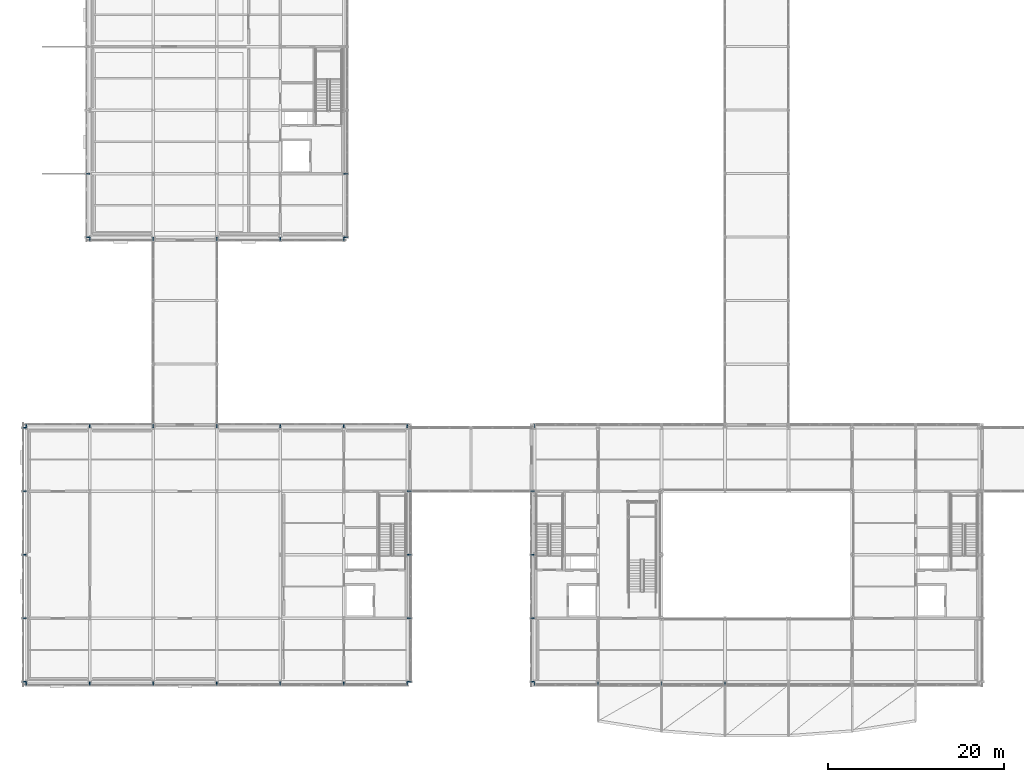
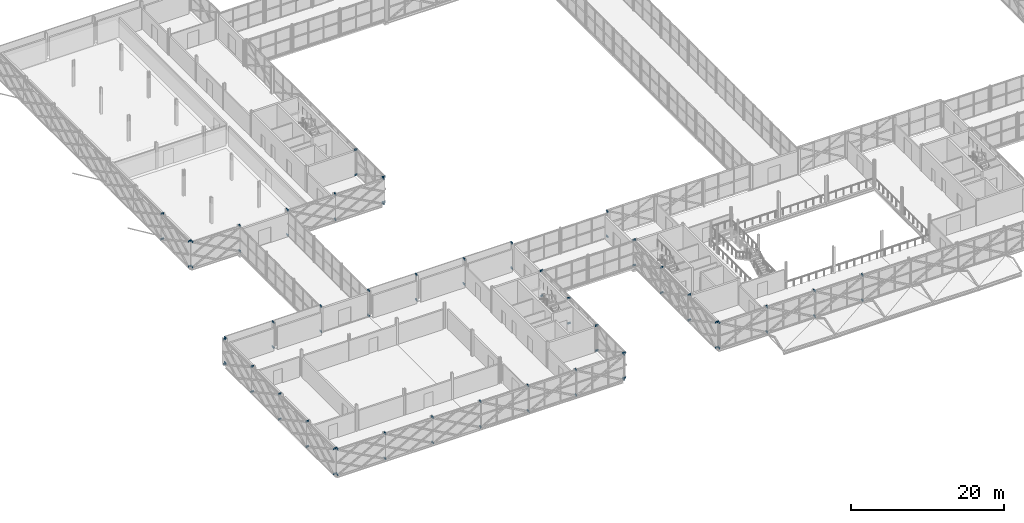
# One storey, part 81 of 146: 82 beams.
"""IFC4 building model written with IfcOpenShell, lengths in metres."""

from ifc_helpers import new_model, si_unit, direction, frame, origin, origin_2d, place, context, subcontext, project, spatial, i_section, extrude, material, material_profile, profile_set, type_object, element, save


model = new_model("IFC4")

# Units and contexts
model_context = context("Model", 3, precision=1e-05, world=origin(), true_north=direction((0.0, 1.0)))
body_context = subcontext(model_context, "Body", "Model", "MODEL_VIEW")
ifc_project = project(units=[si_unit("LENGTHUNIT", "METRE"), si_unit("AREAUNIT", "SQUARE_METRE"), si_unit("VOLUMEUNIT", "CUBIC_METRE"), si_unit("PLANEANGLEUNIT", "RADIAN"), si_unit("MASSUNIT", "GRAM", prefix="KILO")], contexts=[model_context])

# Site, building, storey
site_placement = place(None, origin())
site = spatial("IfcSite", under=ifc_project, at=site_placement, CompositionType="ELEMENT")
building_placement = place(site_placement, origin())
building = spatial("IfcBuilding", under=site, at=building_placement, Name="Zlatovets Crest Museum", CompositionType="ELEMENT")
storey_placement = place(building_placement, frame((0.0, 0.0, 4.5)))
storey = spatial("IfcBuildingStorey", under=building, at=storey_placement, Name="L01", CompositionType="ELEMENT", Elevation=4.5)

# Beams
ifc_material = material(Name="Structural steel S355J2", Category="steel")
ifc_material_profile = material_profile(ifc_material, i_section(OverallWidth=0.10009765625, OverallDepth=0.199951171875, WebThickness=0.005615234375, FlangeThickness=0.008544921875, FilletRadius=0.011962890625, at=origin_2d()), Name="IPE 200")
ifc_profile_set = profile_set([ifc_material_profile], Name="Structural steel S355J2")
beam_type = type_object("IfcBeamType", Name="Beam_PR-02", PredefinedType="LINTEL", material=ifc_profile_set)
for number, where, z_axis, x_axis, name in (
    (1, (57.60009765625, 0.0, 0.10009765625), (0.0, -1.0, 0.0), (1.0, 0.0, 0.0), "Lattice Structural Outrigger Tie"),
    (2, (57.60009765625, 0.0, 4.10009765625), (0.0, -1.0, 0.0), (1.0, 0.0, 0.0), "Lattice Structural Outrigger Tie"),
    (3, (64.800048828125, 0.0, 0.10009765625), (0.0, -1.0, 0.0), (1.0, 0.0, 0.0), "Lattice Structural Outrigger Tie"),
    (4, (64.800048828125, 0.0, 4.10009765625), (0.0, -1.0, 0.0), (1.0, 0.0, 0.0), "Lattice Structural Outrigger Tie"),
    (5, (72.0, 0.0, 0.10009765625), (0.0, -1.0, 0.0), (1.0, 0.0, 0.0), "Lattice Structural Outrigger Tie"),
    (6, (72.0, 0.0, 4.10009765625), (0.0, -1.0, 0.0), (1.0, 0.0, 0.0), "Lattice Structural Outrigger Tie"),
    (7, (79.199951171875, 0.0, 0.10009765625), (0.0, -1.0, 0.0), (1.0, 0.0, 0.0), "Lattice Structural Outrigger Tie"),
    (8, (79.199951171875, 0.0, 4.10009765625), (0.0, -1.0, 0.0), (1.0, 0.0, 0.0), "Lattice Structural Outrigger Tie"),
    (9, (57.60009765625, 28.800048828125, 0.10009765625), (0.0, 1.0, 0.0), (-1.0, 0.0, 0.0), "Lattice Structural Outrigger Tie"),
    (10, (57.60009765625, 28.800048828125, 4.10009765625), (0.0, 1.0, 0.0), (-1.0, 0.0, 0.0), "Lattice Structural Outrigger Tie"),
):
    element("IfcBeam", number, at=place(storey_placement, frame(where, z_axis=z_axis, x_axis=x_axis)), inside=storey, type_object=beam_type, Name=name, PredefinedType="LINTEL", context=body_context, shape_type="SweptSolid", body=[
        extrude(i_section(OverallWidth=0.10009765625, OverallDepth=0.199951171875, WebThickness=0.005615234375, FlangeThickness=0.008544921875, FilletRadius=0.011962890625, at=origin_2d()), origin(), (0.0, 0.0, 1.0), 0.419921875),
    ])
for number, where, z_axis, x_axis, name in (
    (11, (57.60009765625, 21.60009765625, 0.10009765625), (-1.0, 0.0, 0.0), (0.0, -1.0, 0.0), "Lattice Structural Outrigger Tie"),
    (12, (57.60009765625, 21.60009765625, 4.10009765625), (-1.0, 0.0, 0.0), (0.0, -1.0, 0.0), "Lattice Structural Outrigger Tie"),
    (13, (57.60009765625, 14.39990234375, 0.10009765625), (-1.0, 0.0, 0.0), (0.0, -1.0, 0.0), "Lattice Structural Outrigger Tie"),
    (14, (57.60009765625, 14.39990234375, 4.10009765625), (-1.0, 0.0, 0.0), (0.0, -1.0, 0.0), "Lattice Structural Outrigger Tie"),
    (15, (57.60009765625, 7.199951171875, 0.10009765625), (-1.0, 0.0, 0.0), (0.0, -1.0, 0.0), "Lattice Structural Outrigger Tie"),
    (16, (57.60009765625, 7.199951171875, 4.10009765625), (-1.0, 0.0, 0.0), (0.0, -1.0, 0.0), "Lattice Structural Outrigger Tie"),
    (17, (57.60009765625, 0.0, 0.10009765625), (-1.0, 0.0, 0.0), (0.0, -1.0, 0.0), "Lattice Structural Outrigger Tie"),
    (18, (57.60009765625, 0.0, 4.10009765625), (-1.0, 0.0, 0.0), (0.0, -1.0, 0.0), "Lattice Structural Outrigger Tie"),
):
    element("IfcBeam", number, at=place(storey_placement, frame(where, z_axis=z_axis, x_axis=x_axis)), inside=storey, type_object=beam_type, Name=name, PredefinedType="LINTEL", context=body_context, shape_type="SweptSolid", body=[
        extrude(i_section(OverallWidth=0.10009765625, OverallDepth=0.199951171875, WebThickness=0.005615234375, FlangeThickness=0.008544921875, FilletRadius=0.011962890625, at=origin_2d()), origin(), (0.0, 0.0, 1.0), 0.420166015625),
    ])
for number, where, z_axis, x_axis, name in (
    (19, (0.0, 0.0, 0.10009765625), (0.0, -1.0, 0.0), (1.0, 0.0, 0.0), "Lattice Structural Outrigger Tie"),
    (20, (0.0, 0.0, 4.10009765625), (0.0, -1.0, 0.0), (1.0, 0.0, 0.0), "Lattice Structural Outrigger Tie"),
    (21, (7.199951171875, 0.0, 0.10009765625), (0.0, -1.0, 0.0), (1.0, 0.0, 0.0), "Lattice Structural Outrigger Tie"),
    (22, (7.199951171875, 0.0, 4.10009765625), (0.0, -1.0, 0.0), (1.0, 0.0, 0.0), "Lattice Structural Outrigger Tie"),
    (23, (14.39990234375, 0.0, 0.10009765625), (0.0, -1.0, 0.0), (1.0, 0.0, 0.0), "Lattice Structural Outrigger Tie"),
    (24, (14.39990234375, 0.0, 4.10009765625), (0.0, -1.0, 0.0), (1.0, 0.0, 0.0), "Lattice Structural Outrigger Tie"),
    (25, (21.60009765625, 0.0, 0.10009765625), (0.0, -1.0, 0.0), (1.0, 0.0, 0.0), "Lattice Structural Outrigger Tie"),
    (26, (21.60009765625, 0.0, 4.10009765625), (0.0, -1.0, 0.0), (1.0, 0.0, 0.0), "Lattice Structural Outrigger Tie"),
    (27, (28.800048828125, 0.0, 0.10009765625), (0.0, -1.0, 0.0), (1.0, 0.0, 0.0), "Lattice Structural Outrigger Tie"),
    (28, (28.800048828125, 0.0, 4.10009765625), (0.0, -1.0, 0.0), (1.0, 0.0, 0.0), "Lattice Structural Outrigger Tie"),
    (29, (36.0, 0.0, 0.10009765625), (0.0, -1.0, 0.0), (1.0, 0.0, 0.0), "Lattice Structural Outrigger Tie"),
    (30, (36.0, 0.0, 4.10009765625), (0.0, -1.0, 0.0), (1.0, 0.0, 0.0), "Lattice Structural Outrigger Tie"),
    (31, (43.199951171875, 0.0, 0.10009765625), (0.0, -1.0, 0.0), (1.0, 0.0, 0.0), "Lattice Structural Outrigger Tie"),
    (32, (43.199951171875, 0.0, 4.10009765625), (0.0, -1.0, 0.0), (1.0, 0.0, 0.0), "Lattice Structural Outrigger Tie"),
):
    element("IfcBeam", number, at=place(storey_placement, frame(where, z_axis=z_axis, x_axis=x_axis)), inside=storey, type_object=beam_type, Name=name, PredefinedType="LINTEL", context=body_context, shape_type="SweptSolid", body=[
        extrude(i_section(OverallWidth=0.10009765625, OverallDepth=0.199951171875, WebThickness=0.005615234375, FlangeThickness=0.008544921875, FilletRadius=0.011962890625, at=origin_2d()), origin(), (0.0, 0.0, 1.0), 0.419921875),
    ])
for number, where, z_axis, x_axis, name in (
    (33, (43.199951171875, 0.0, 0.10009765625), (1.0, 0.0, 0.0), (0.0, 1.0, 0.0), "Lattice Structural Outrigger Tie"),
    (34, (43.199951171875, 0.0, 4.10009765625), (1.0, 0.0, 0.0), (0.0, 1.0, 0.0), "Lattice Structural Outrigger Tie"),
    (35, (43.199951171875, 7.199951171875, 0.10009765625), (1.0, 0.0, 0.0), (0.0, 1.0, 0.0), "Lattice Structural Outrigger Tie"),
    (36, (43.199951171875, 7.199951171875, 4.10009765625), (1.0, 0.0, 0.0), (0.0, 1.0, 0.0), "Lattice Structural Outrigger Tie"),
    (37, (43.199951171875, 14.39990234375, 0.10009765625), (1.0, 0.0, 0.0), (0.0, 1.0, 0.0), "Lattice Structural Outrigger Tie"),
    (38, (43.199951171875, 14.39990234375, 4.10009765625), (1.0, 0.0, 0.0), (0.0, 1.0, 0.0), "Lattice Structural Outrigger Tie"),
    (39, (43.199951171875, 21.60009765625, 0.10009765625), (1.0, 0.0, 0.0), (0.0, 1.0, 0.0), "Lattice Structural Outrigger Tie"),
    (40, (43.199951171875, 21.60009765625, 4.10009765625), (1.0, 0.0, 0.0), (0.0, 1.0, 0.0), "Lattice Structural Outrigger Tie"),
):
    element("IfcBeam", number, at=place(storey_placement, frame(where, z_axis=z_axis, x_axis=x_axis)), inside=storey, type_object=beam_type, Name=name, PredefinedType="LINTEL", context=body_context, shape_type="SweptSolid", body=[
        extrude(i_section(OverallWidth=0.10009765625, OverallDepth=0.199951171875, WebThickness=0.005615234375, FlangeThickness=0.008544921875, FilletRadius=0.011962890625, at=origin_2d()), origin(), (0.0, 0.0, 1.0), 0.420166015625),
    ])
for number, where, z_axis, x_axis, name in (
    (41, (43.199951171875, 28.800048828125, 0.10009765625), (0.0, 1.0, 0.0), (-1.0, 0.0, 0.0), "Lattice Structural Outrigger Tie"),
    (42, (43.199951171875, 28.800048828125, 4.10009765625), (0.0, 1.0, 0.0), (-1.0, 0.0, 0.0), "Lattice Structural Outrigger Tie"),
    (43, (36.0, 28.800048828125, 0.10009765625), (0.0, 1.0, 0.0), (-1.0, 0.0, 0.0), "Lattice Structural Outrigger Tie"),
    (44, (36.0, 28.800048828125, 4.10009765625), (0.0, 1.0, 0.0), (-1.0, 0.0, 0.0), "Lattice Structural Outrigger Tie"),
    (45, (28.800048828125, 28.800048828125, 0.10009765625), (0.0, 1.0, 0.0), (-1.0, 0.0, 0.0), "Lattice Structural Outrigger Tie"),
    (46, (28.800048828125, 28.800048828125, 4.10009765625), (0.0, 1.0, 0.0), (-1.0, 0.0, 0.0), "Lattice Structural Outrigger Tie"),
    (47, (21.60009765625, 28.800048828125, 0.10009765625), (0.0, 1.0, 0.0), (-1.0, 0.0, 0.0), "Lattice Structural Outrigger Tie"),
    (48, (21.60009765625, 28.800048828125, 4.10009765625), (0.0, 1.0, 0.0), (-1.0, 0.0, 0.0), "Lattice Structural Outrigger Tie"),
    (49, (14.39990234375, 28.800048828125, 0.10009765625), (0.0, 1.0, 0.0), (-1.0, 0.0, 0.0), "Lattice Structural Outrigger Tie"),
    (50, (14.39990234375, 28.800048828125, 4.10009765625), (0.0, 1.0, 0.0), (-1.0, 0.0, 0.0), "Lattice Structural Outrigger Tie"),
    (51, (7.199951171875, 28.800048828125, 0.10009765625), (0.0, 1.0, 0.0), (-1.0, 0.0, 0.0), "Lattice Structural Outrigger Tie"),
    (52, (7.199951171875, 28.800048828125, 4.10009765625), (0.0, 1.0, 0.0), (-1.0, 0.0, 0.0), "Lattice Structural Outrigger Tie"),
    (53, (0.0, 28.800048828125, 0.10009765625), (0.0, 1.0, 0.0), (-1.0, 0.0, 0.0), "Lattice Structural Outrigger Tie"),
    (54, (0.0, 28.800048828125, 4.10009765625), (0.0, 1.0, 0.0), (-1.0, 0.0, 0.0), "Lattice Structural Outrigger Tie"),
    (55, (0.0, 28.800048828125, 0.10009765625), (-1.0, 0.0, 0.0), (0.0, -1.0, 0.0), "Lattice Structural Outrigger Tie"),
    (56, (0.0, 28.800048828125, 4.10009765625), (-1.0, 0.0, 0.0), (0.0, -1.0, 0.0), "Lattice Structural Outrigger Tie"),
    (57, (0.0, 21.60009765625, 0.10009765625), (-1.0, 0.0, 0.0), (0.0, -1.0, 0.0), "Lattice Structural Outrigger Tie"),
    (58, (0.0, 21.60009765625, 4.10009765625), (-1.0, 0.0, 0.0), (0.0, -1.0, 0.0), "Lattice Structural Outrigger Tie"),
    (59, (0.0, 14.39990234375, 0.10009765625), (-1.0, 0.0, 0.0), (0.0, -1.0, 0.0), "Lattice Structural Outrigger Tie"),
    (60, (0.0, 14.39990234375, 4.10009765625), (-1.0, 0.0, 0.0), (0.0, -1.0, 0.0), "Lattice Structural Outrigger Tie"),
    (61, (0.0, 7.199951171875, 0.10009765625), (-1.0, 0.0, 0.0), (0.0, -1.0, 0.0), "Lattice Structural Outrigger Tie"),
    (62, (0.0, 7.199951171875, 4.10009765625), (-1.0, 0.0, 0.0), (0.0, -1.0, 0.0), "Lattice Structural Outrigger Tie"),
    (63, (0.0, 0.0, 0.10009765625), (-1.0, 0.0, 0.0), (0.0, -1.0, 0.0), "Lattice Structural Outrigger Tie"),
    (64, (0.0, 0.0, 4.10009765625), (-1.0, 0.0, 0.0), (0.0, -1.0, 0.0), "Lattice Structural Outrigger Tie"),
    (65, (7.199951171875, 50.39990234375, 0.10009765625), (0.0, -1.0, 0.0), (1.0, 0.0, 0.0), "Lattice Structural Outrigger Tie"),
    (66, (7.199951171875, 50.39990234375, 4.10009765625), (0.0, -1.0, 0.0), (1.0, 0.0, 0.0), "Lattice Structural Outrigger Tie"),
    (67, (14.39990234375, 50.39990234375, 0.10009765625), (0.0, -1.0, 0.0), (1.0, 0.0, 0.0), "Lattice Structural Outrigger Tie"),
    (68, (14.39990234375, 50.39990234375, 4.10009765625), (0.0, -1.0, 0.0), (1.0, 0.0, 0.0), "Lattice Structural Outrigger Tie"),
    (69, (21.60009765625, 50.39990234375, 0.10009765625), (0.0, -1.0, 0.0), (1.0, 0.0, 0.0), "Lattice Structural Outrigger Tie"),
    (70, (21.60009765625, 50.39990234375, 4.10009765625), (0.0, -1.0, 0.0), (1.0, 0.0, 0.0), "Lattice Structural Outrigger Tie"),
    (71, (28.800048828125, 50.39990234375, 0.10009765625), (0.0, -1.0, 0.0), (1.0, 0.0, 0.0), "Lattice Structural Outrigger Tie"),
    (72, (28.800048828125, 50.39990234375, 4.10009765625), (0.0, -1.0, 0.0), (1.0, 0.0, 0.0), "Lattice Structural Outrigger Tie"),
    (73, (36.0, 50.39990234375, 0.10009765625), (0.0, -1.0, 0.0), (1.0, 0.0, 0.0), "Lattice Structural Outrigger Tie"),
    (74, (36.0, 50.39990234375, 4.10009765625), (0.0, -1.0, 0.0), (1.0, 0.0, 0.0), "Lattice Structural Outrigger Tie"),
    (75, (36.0, 50.39990234375, 0.10009765625), (1.0, 0.0, 0.0), (0.0, 1.0, 0.0), "Lattice Structural Outrigger Tie"),
    (76, (36.0, 50.39990234375, 4.10009765625), (1.0, 0.0, 0.0), (0.0, 1.0, 0.0), "Lattice Structural Outrigger Tie"),
    (77, (36.0, 57.60009765625, 0.10009765625), (1.0, 0.0, 0.0), (0.0, 1.0, 0.0), "Lattice Structural Outrigger Tie"),
    (78, (36.0, 57.60009765625, 4.10009765625), (1.0, 0.0, 0.0), (0.0, 1.0, 0.0), "Lattice Structural Outrigger Tie"),
    (79, (7.199951171875, 57.60009765625, 0.10009765625), (-1.0, 0.0, 0.0), (0.0, -1.0, 0.0), "Lattice Structural Outrigger Tie"),
    (80, (7.199951171875, 57.60009765625, 4.10009765625), (-1.0, 0.0, 0.0), (0.0, -1.0, 0.0), "Lattice Structural Outrigger Tie"),
    (81, (7.199951171875, 50.39990234375, 0.10009765625), (-1.0, 0.0, 0.0), (0.0, -1.0, 0.0), "Lattice Structural Outrigger Tie"),
    (82, (7.199951171875, 50.39990234375, 4.10009765625), (-1.0, 0.0, 0.0), (0.0, -1.0, 0.0), "Lattice Structural Outrigger Tie"),
):
    element("IfcBeam", number, at=place(storey_placement, frame(where, z_axis=z_axis, x_axis=x_axis)), inside=storey, type_object=beam_type, Name=name, PredefinedType="LINTEL", context=body_context, shape_type="SweptSolid", body=[
        extrude(i_section(OverallWidth=0.10009765625, OverallDepth=0.199951171875, WebThickness=0.005615234375, FlangeThickness=0.008544921875, FilletRadius=0.011962890625, at=origin_2d()), origin(), (0.0, 0.0, 1.0), 0.419921875),
    ])

save(model, "model.ifc")
